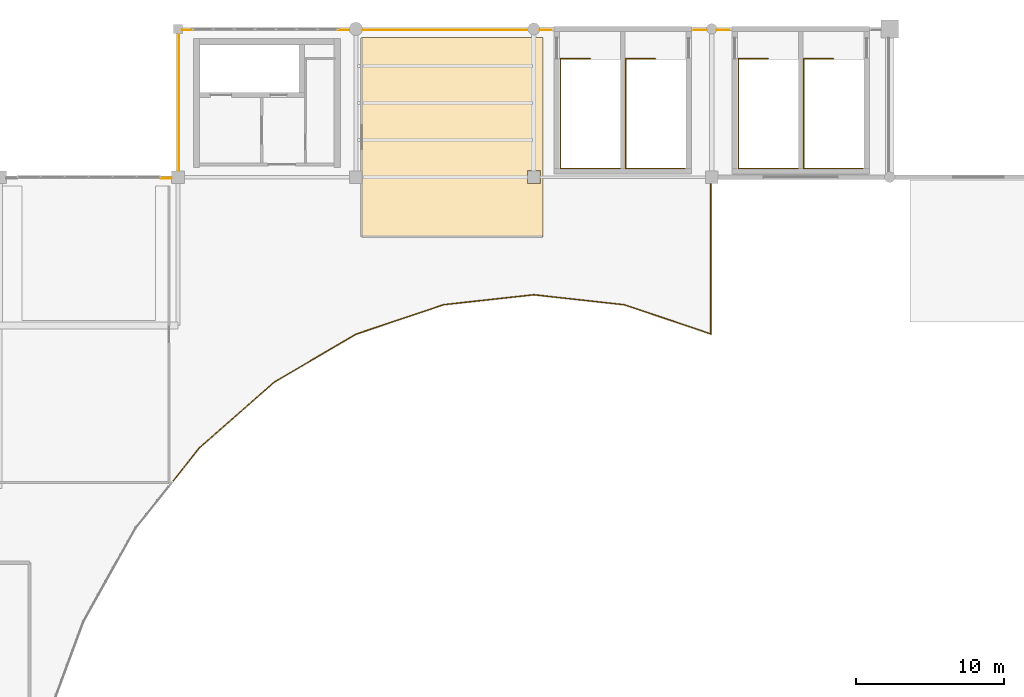
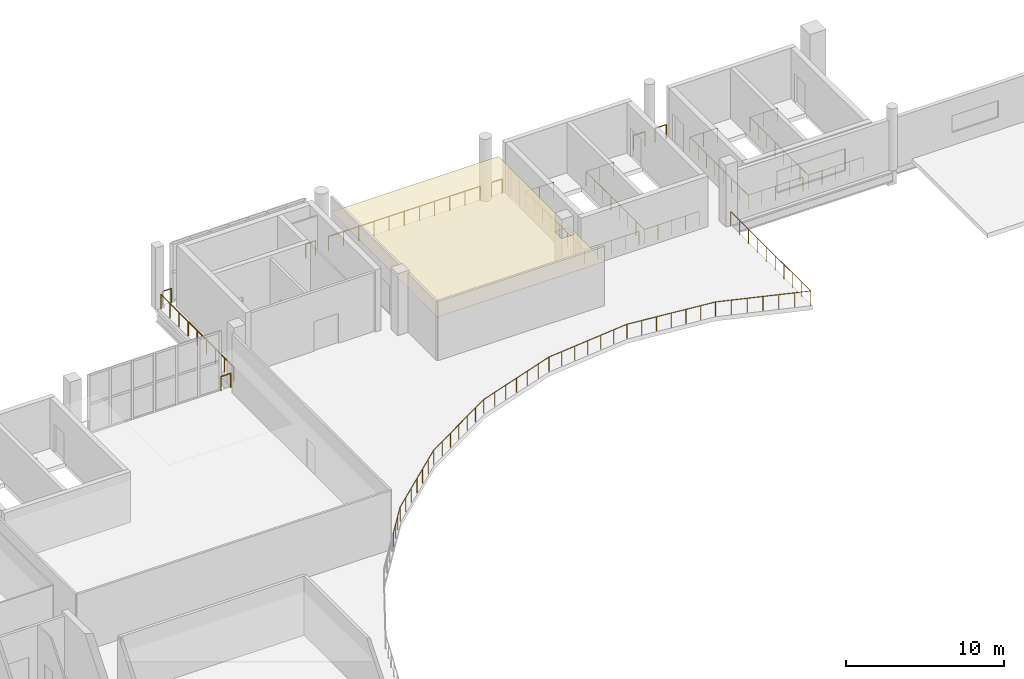
# One storey, part 48 of 49: 13 railings, 1 covering.
"""IFC4 building model written with IfcOpenShell, lengths in metres."""

from ifc_helpers import new_model, si_unit, direction, frame, origin, origin_2d, place, context, subcontext, project, spatial, polyline, circle, outline, extrude, material, layer, layer_set, type_object, element, save


model = new_model("IFC4")

# Units and contexts
model_context = context("Model", 3, precision=1e-05, world=origin(), true_north=direction((0.0, 1.0)))
body_context = subcontext(model_context, "Body", "Model", "MODEL_VIEW")
ifc_project = project(units=[si_unit("LENGTHUNIT", "METRE"), si_unit("AREAUNIT", "SQUARE_METRE"), si_unit("VOLUMEUNIT", "CUBIC_METRE"), si_unit("PLANEANGLEUNIT", "RADIAN"), si_unit("MASSUNIT", "GRAM", prefix="KILO")], contexts=[model_context])

# Site, building, storey
site_placement = place(None, origin())
site = spatial("IfcSite", under=ifc_project, at=site_placement, CompositionType="ELEMENT")
building_placement = place(site_placement, origin())
building = spatial("IfcBuilding", under=site, at=building_placement, Name="Brinegate Civic Arena", CompositionType="ELEMENT")
storey_placement = place(building_placement, frame((0.0, 0.0, 24.60009765625)))
storey = spatial("IfcBuildingStorey", under=building, at=storey_placement, Name="L05", CompositionType="ELEMENT", Elevation=24.60009765625)

# Covering
ifc_material_1 = material(Name="Acoustic perforated aluminium ceiling", Category="aluminium")
ifc_layer = layer(ifc_material_1, 0.02490234375, Name="Acoustic perforated aluminium ceiling")
ifc_layer_set = layer_set([ifc_layer], Name="Acoustic perforated aluminium ceiling")
covering_type = type_object("IfcCoveringType", Name="CEILING-ACOUSTIC-25", PredefinedType="CEILING", material=ifc_layer_set)
covering_placement = place(storey_placement, frame((0.0, 0.0, 3.324951171875)))
element("IfcCovering", 1, at=covering_placement, inside=storey, type_object=covering_type, Name="Acoustic Ceiling L05-004", PredefinedType="CEILING", context=body_context, shape_type="SweptSolid", body=[
    extrude(outline(polyline([(108.60400390625, 123.419921875), (108.60595703125, 123.4189453125), (108.60791015625, 123.41796875), (108.60888671875, 123.41796875), (108.611083984375, 123.4169921875), (108.613037109375, 123.4150390625), (108.614013671875, 123.4140625), (108.614990234375, 123.4130859375), (108.616943359375, 123.410888671875), (108.617919921875, 123.408935546875), (108.617919921875, 123.407958984375), (108.618896484375, 123.406005859375), (108.6201171875, 123.404052734375), (108.6201171875, 123.402099609375), (108.6201171875, 123.39990234375), (108.6201171875, 110.0), (108.6201171875, 109.998046875), (108.6201171875, 109.99609375), (108.618896484375, 109.993896484375), (108.617919921875, 109.991943359375), (108.617919921875, 109.990966796875), (108.616943359375, 109.989013671875), (108.614990234375, 109.987060546875), (108.614013671875, 109.986083984375), (108.613037109375, 109.985107421875), (108.611083984375, 109.98291015625), (108.60888671875, 109.98193359375), (108.60791015625, 109.98193359375), (108.60595703125, 109.98095703125), (108.60400390625, 109.97998046875), (108.60205078125, 109.97998046875), (108.60009765625, 109.97998046875), (96.39990234375, 109.97998046875), (96.39794921875, 109.97998046875), (96.39599609375, 109.97998046875), (96.39404296875, 109.98095703125), (96.39208984375, 109.98193359375), (96.39111328125, 109.98193359375), (96.388916015625, 109.98291015625), (96.386962890625, 109.985107421875), (96.385986328125, 109.986083984375), (96.385009765625, 109.987060546875), (96.383056640625, 109.989013671875), (96.382080078125, 109.990966796875), (96.382080078125, 109.991943359375), (96.381103515625, 109.993896484375), (96.3798828125, 109.99609375), (96.3798828125, 109.998046875), (96.3798828125, 110.0), (96.3798828125, 113.56494140625), (96.43505859375, 113.56494140625), (96.43505859375, 114.43505859375), (96.3798828125, 114.43505859375), (96.3798828125, 123.39990234375), (96.3798828125, 123.402099609375), (96.3798828125, 123.404052734375), (96.381103515625, 123.406005859375), (96.382080078125, 123.407958984375), (96.382080078125, 123.408935546875), (96.383056640625, 123.410888671875), (96.385009765625, 123.4130859375), (96.385986328125, 123.4140625), (96.386962890625, 123.4150390625), (96.388916015625, 123.4169921875), (96.39111328125, 123.41796875), (96.39208984375, 123.41796875), (96.39404296875, 123.4189453125), (96.39599609375, 123.419921875), (96.39794921875, 123.419921875), (96.39990234375, 123.419921875), (108.60009765625, 123.419921875), (108.60205078125, 123.419921875), (108.60400390625, 123.419921875)]), holes=[polyline([(107.56494140625, 113.56494140625), (108.43505859375, 113.56494140625), (108.43505859375, 114.43505859375), (107.56494140625, 114.43505859375), (107.56494140625, 113.56494140625)])]), origin(), (0.0, 0.0, 1.0), 0.02490234375),
])

# Railings
ifc_material_2 = material(Name="Architectural stainless steel balustrade", Category="steel")
railing_type_1 = type_object("IfcRailingType", Name="RAIL-STAIR-GUARD-1100", PredefinedType="GUARDRAIL", material=ifc_material_2)
railing_1_placement = place(storey_placement, frame((123.800048828125, 121.97998046875, 0.0)))
element("IfcRailing", 2, at=railing_1_placement, inside=storey, type_object=railing_type_1, Name="Top Stairwell Edge Guard ST-03A L05", PredefinedType="GUARDRAIL", context=body_context, shape_type="SweptSolid", body=[
    extrude(circle(Radius=0.02392578125, at=origin_2d()), frame((-0.00146484375, 0.0, 1.09619140625), z_axis=(-1.0, 0.0, 0.0), x_axis=(0.0, -1.0, 0.0)), (0.0, 0.0, 1.0), 2.002197265625),
    extrude(circle(Radius=0.02392578125, at=origin_2d()), frame((-2.005126953125, -0.00146484375, 1.09619140625), z_axis=(0.0, -1.0, 0.0), x_axis=(1.0, 0.0, 0.0)), (0.0, 0.0, 1.0), 7.39697265625),
    extrude(circle(Radius=0.02392578125, at=origin_2d()), frame((-2.003662109375, -7.39990234375, 1.09619140625), z_axis=(1.0, 0.0, 0.0), x_axis=(0.0, 1.0, 0.0)), (0.0, 0.0, 1.0), 4.007080078125),
    extrude(circle(Radius=0.02099609375, at=origin_2d()), origin(), (0.0, 0.0, 1.0), 1.070068359375),
    extrude(circle(Radius=0.02099609375, at=origin_2d()), frame((-1.00244140625, 0.0, 0.0)), (0.0, 0.0, 1.0), 1.070068359375),
    extrude(circle(Radius=0.02099609375, at=origin_2d()), frame((-2.005126953125, 0.0, 0.0)), (0.0, 0.0, 1.0), 1.070068359375),
    extrude(circle(Radius=0.02099609375, at=origin_2d()), frame((-2.005126953125, -1.05712890625, 0.0)), (0.0, 0.0, 1.0), 1.070068359375),
    extrude(circle(Radius=0.02099609375, at=origin_2d()), frame((-2.005126953125, -2.1142578125, 0.0)), (0.0, 0.0, 1.0), 1.070068359375),
    extrude(circle(Radius=0.02099609375, at=origin_2d()), frame((-2.005126953125, -3.17138671875, 0.0)), (0.0, 0.0, 1.0), 1.070068359375),
    extrude(circle(Radius=0.02099609375, at=origin_2d()), frame((-2.005126953125, -4.228515625, 0.0)), (0.0, 0.0, 1.0), 1.070068359375),
    extrude(circle(Radius=0.02099609375, at=origin_2d()), frame((-2.005126953125, -5.28564453125, 0.0)), (0.0, 0.0, 1.0), 1.070068359375),
    extrude(circle(Radius=0.02099609375, at=origin_2d()), frame((-2.005126953125, -6.3427734375, 0.0)), (0.0, 0.0, 1.0), 1.070068359375),
    extrude(circle(Radius=0.02099609375, at=origin_2d()), frame((-2.005126953125, -7.39990234375, 0.0)), (0.0, 0.0, 1.0), 1.070068359375),
    extrude(circle(Radius=0.02099609375, at=origin_2d()), frame((-1.002685546875, -7.39990234375, 0.0)), (0.0, 0.0, 1.0), 1.070068359375),
    extrude(circle(Radius=0.02099609375, at=origin_2d()), frame((0.0, -7.39990234375, 0.0)), (0.0, 0.0, 1.0), 1.070068359375),
    extrude(circle(Radius=0.02099609375, at=origin_2d()), frame((1.00244140625, -7.39990234375, 0.0)), (0.0, 0.0, 1.0), 1.070068359375),
    extrude(circle(Radius=0.02099609375, at=origin_2d()), frame((2.0048828125, -7.39990234375, 0.0)), (0.0, 0.0, 1.0), 1.070068359375),
])
railing_2_placement = place(storey_placement, frame((128.199951171875, 121.97998046875, 0.0)))
element("IfcRailing", 3, at=railing_2_placement, inside=storey, type_object=railing_type_1, Name="Top Stairwell Edge Guard ST-03B L05", PredefinedType="GUARDRAIL", context=body_context, shape_type="SweptSolid", body=[
    extrude(circle(Radius=0.02392578125, at=origin_2d()), frame((-0.00146484375, 0.0, 1.09619140625), z_axis=(-1.0, 0.0, 0.0), x_axis=(0.0, -1.0, 0.0)), (0.0, 0.0, 1.0), 2.001953125),
    extrude(circle(Radius=0.02392578125, at=origin_2d()), frame((-2.0048828125, -0.00146484375, 1.09619140625), z_axis=(0.0, -1.0, 0.0), x_axis=(1.0, 0.0, 0.0)), (0.0, 0.0, 1.0), 7.39697265625),
    extrude(circle(Radius=0.02392578125, at=origin_2d()), frame((-2.00341796875, -7.39990234375, 1.09619140625), z_axis=(1.0, 0.0, 0.0), x_axis=(0.0, 1.0, 0.0)), (0.0, 0.0, 1.0), 4.007080078125),
    extrude(circle(Radius=0.02099609375, at=origin_2d()), origin(), (0.0, 0.0, 1.0), 1.070068359375),
    extrude(circle(Radius=0.02099609375, at=origin_2d()), frame((-1.00244140625, 0.0, 0.0)), (0.0, 0.0, 1.0), 1.070068359375),
    extrude(circle(Radius=0.02099609375, at=origin_2d()), frame((-2.0048828125, 0.0, 0.0)), (0.0, 0.0, 1.0), 1.070068359375),
    extrude(circle(Radius=0.02099609375, at=origin_2d()), frame((-2.0048828125, -1.05712890625, 0.0)), (0.0, 0.0, 1.0), 1.070068359375),
    extrude(circle(Radius=0.02099609375, at=origin_2d()), frame((-2.0048828125, -2.1142578125, 0.0)), (0.0, 0.0, 1.0), 1.070068359375),
    extrude(circle(Radius=0.02099609375, at=origin_2d()), frame((-2.0048828125, -3.17138671875, 0.0)), (0.0, 0.0, 1.0), 1.070068359375),
    extrude(circle(Radius=0.02099609375, at=origin_2d()), frame((-2.0048828125, -4.228515625, 0.0)), (0.0, 0.0, 1.0), 1.070068359375),
    extrude(circle(Radius=0.02099609375, at=origin_2d()), frame((-2.0048828125, -5.28564453125, 0.0)), (0.0, 0.0, 1.0), 1.070068359375),
    extrude(circle(Radius=0.02099609375, at=origin_2d()), frame((-2.0048828125, -6.3427734375, 0.0)), (0.0, 0.0, 1.0), 1.070068359375),
    extrude(circle(Radius=0.02099609375, at=origin_2d()), frame((-2.0048828125, -7.39990234375, 0.0)), (0.0, 0.0, 1.0), 1.070068359375),
    extrude(circle(Radius=0.02099609375, at=origin_2d()), frame((-1.00244140625, -7.39990234375, 0.0)), (0.0, 0.0, 1.0), 1.070068359375),
    extrude(circle(Radius=0.02099609375, at=origin_2d()), frame((0.0, -7.39990234375, 0.0)), (0.0, 0.0, 1.0), 1.070068359375),
    extrude(circle(Radius=0.02099609375, at=origin_2d()), frame((1.002685546875, -7.39990234375, 0.0)), (0.0, 0.0, 1.0), 1.070068359375),
    extrude(circle(Radius=0.02099609375, at=origin_2d()), frame((2.005126953125, -7.39990234375, 0.0)), (0.0, 0.0, 1.0), 1.070068359375),
])
railing_3_placement = place(storey_placement, frame((111.800048828125, 121.97998046875, 0.0)))
element("IfcRailing", 4, at=railing_3_placement, inside=storey, type_object=railing_type_1, Name="Top Stairwell Edge Guard ST-15A L05", PredefinedType="GUARDRAIL", context=body_context, shape_type="SweptSolid", body=[
    extrude(circle(Radius=0.02392578125, at=origin_2d()), frame((-0.00146484375, 0.0, 1.09619140625), z_axis=(-1.0, 0.0, 0.0), x_axis=(0.0, -1.0, 0.0)), (0.0, 0.0, 1.0), 2.002197265625),
    extrude(circle(Radius=0.02392578125, at=origin_2d()), frame((-2.005126953125, -0.00146484375, 1.09619140625), z_axis=(0.0, -1.0, 0.0), x_axis=(1.0, 0.0, 0.0)), (0.0, 0.0, 1.0), 7.39697265625),
    extrude(circle(Radius=0.02392578125, at=origin_2d()), frame((-2.003662109375, -7.39990234375, 1.09619140625), z_axis=(1.0, 0.0, 0.0), x_axis=(0.0, 1.0, 0.0)), (0.0, 0.0, 1.0), 4.007080078125),
    extrude(circle(Radius=0.02099609375, at=origin_2d()), origin(), (0.0, 0.0, 1.0), 1.070068359375),
    extrude(circle(Radius=0.02099609375, at=origin_2d()), frame((-1.00244140625, 0.0, 0.0)), (0.0, 0.0, 1.0), 1.070068359375),
    extrude(circle(Radius=0.02099609375, at=origin_2d()), frame((-2.005126953125, 0.0, 0.0)), (0.0, 0.0, 1.0), 1.070068359375),
    extrude(circle(Radius=0.02099609375, at=origin_2d()), frame((-2.005126953125, -1.05712890625, 0.0)), (0.0, 0.0, 1.0), 1.070068359375),
    extrude(circle(Radius=0.02099609375, at=origin_2d()), frame((-2.005126953125, -2.1142578125, 0.0)), (0.0, 0.0, 1.0), 1.070068359375),
    extrude(circle(Radius=0.02099609375, at=origin_2d()), frame((-2.005126953125, -3.17138671875, 0.0)), (0.0, 0.0, 1.0), 1.070068359375),
    extrude(circle(Radius=0.02099609375, at=origin_2d()), frame((-2.005126953125, -4.228515625, 0.0)), (0.0, 0.0, 1.0), 1.070068359375),
    extrude(circle(Radius=0.02099609375, at=origin_2d()), frame((-2.005126953125, -5.28564453125, 0.0)), (0.0, 0.0, 1.0), 1.070068359375),
    extrude(circle(Radius=0.02099609375, at=origin_2d()), frame((-2.005126953125, -6.3427734375, 0.0)), (0.0, 0.0, 1.0), 1.070068359375),
    extrude(circle(Radius=0.02099609375, at=origin_2d()), frame((-2.005126953125, -7.39990234375, 0.0)), (0.0, 0.0, 1.0), 1.070068359375),
    extrude(circle(Radius=0.02099609375, at=origin_2d()), frame((-1.002685546875, -7.39990234375, 0.0)), (0.0, 0.0, 1.0), 1.070068359375),
    extrude(circle(Radius=0.02099609375, at=origin_2d()), frame((0.0, -7.39990234375, 0.0)), (0.0, 0.0, 1.0), 1.070068359375),
    extrude(circle(Radius=0.02099609375, at=origin_2d()), frame((1.00244140625, -7.39990234375, 0.0)), (0.0, 0.0, 1.0), 1.070068359375),
    extrude(circle(Radius=0.02099609375, at=origin_2d()), frame((2.0048828125, -7.39990234375, 0.0)), (0.0, 0.0, 1.0), 1.070068359375),
])
railing_4_placement = place(storey_placement, frame((116.199951171875, 121.97998046875, 0.0)))
element("IfcRailing", 5, at=railing_4_placement, inside=storey, type_object=railing_type_1, Name="Top Stairwell Edge Guard ST-15B L05", PredefinedType="GUARDRAIL", context=body_context, shape_type="SweptSolid", body=[
    extrude(circle(Radius=0.02392578125, at=origin_2d()), frame((-0.00146484375, 0.0, 1.09619140625), z_axis=(-1.0, 0.0, 0.0), x_axis=(0.0, -1.0, 0.0)), (0.0, 0.0, 1.0), 2.001953125),
    extrude(circle(Radius=0.02392578125, at=origin_2d()), frame((-2.0048828125, -0.00146484375, 1.09619140625), z_axis=(0.0, -1.0, 0.0), x_axis=(1.0, 0.0, 0.0)), (0.0, 0.0, 1.0), 7.39697265625),
    extrude(circle(Radius=0.02392578125, at=origin_2d()), frame((-2.00341796875, -7.39990234375, 1.09619140625), z_axis=(1.0, 0.0, 0.0), x_axis=(0.0, 1.0, 0.0)), (0.0, 0.0, 1.0), 4.007080078125),
    extrude(circle(Radius=0.02099609375, at=origin_2d()), origin(), (0.0, 0.0, 1.0), 1.070068359375),
    extrude(circle(Radius=0.02099609375, at=origin_2d()), frame((-1.00244140625, 0.0, 0.0)), (0.0, 0.0, 1.0), 1.070068359375),
    extrude(circle(Radius=0.02099609375, at=origin_2d()), frame((-2.0048828125, 0.0, 0.0)), (0.0, 0.0, 1.0), 1.070068359375),
    extrude(circle(Radius=0.02099609375, at=origin_2d()), frame((-2.0048828125, -1.05712890625, 0.0)), (0.0, 0.0, 1.0), 1.070068359375),
    extrude(circle(Radius=0.02099609375, at=origin_2d()), frame((-2.0048828125, -2.1142578125, 0.0)), (0.0, 0.0, 1.0), 1.070068359375),
    extrude(circle(Radius=0.02099609375, at=origin_2d()), frame((-2.0048828125, -3.17138671875, 0.0)), (0.0, 0.0, 1.0), 1.070068359375),
    extrude(circle(Radius=0.02099609375, at=origin_2d()), frame((-2.0048828125, -4.228515625, 0.0)), (0.0, 0.0, 1.0), 1.070068359375),
    extrude(circle(Radius=0.02099609375, at=origin_2d()), frame((-2.0048828125, -5.28564453125, 0.0)), (0.0, 0.0, 1.0), 1.070068359375),
    extrude(circle(Radius=0.02099609375, at=origin_2d()), frame((-2.0048828125, -6.3427734375, 0.0)), (0.0, 0.0, 1.0), 1.070068359375),
    extrude(circle(Radius=0.02099609375, at=origin_2d()), frame((-2.0048828125, -7.39990234375, 0.0)), (0.0, 0.0, 1.0), 1.070068359375),
    extrude(circle(Radius=0.02099609375, at=origin_2d()), frame((-1.00244140625, -7.39990234375, 0.0)), (0.0, 0.0, 1.0), 1.070068359375),
    extrude(circle(Radius=0.02099609375, at=origin_2d()), frame((0.0, -7.39990234375, 0.0)), (0.0, 0.0, 1.0), 1.070068359375),
    extrude(circle(Radius=0.02099609375, at=origin_2d()), frame((1.002685546875, -7.39990234375, 0.0)), (0.0, 0.0, 1.0), 1.070068359375),
    extrude(circle(Radius=0.02099609375, at=origin_2d()), frame((2.005126953125, -7.39990234375, 0.0)), (0.0, 0.0, 1.0), 1.070068359375),
])
railing_type_2 = type_object("IfcRailingType", Name="RAIL-VOID-BALUSTRADE-1120", PredefinedType="BALUSTRADE", material=ifc_material_2)
railing_5_placement = place(storey_placement, frame((82.84912109375, 113.929931640625, 0.0)))
element("IfcRailing", 6, at=railing_5_placement, inside=storey, type_object=railing_type_2, Name="Deck Edge Balustrade L05-418", PredefinedType="BALUSTRADE", context=body_context, shape_type="SweptSolid", body=[
    extrude(circle(Radius=0.02392578125, at=origin_2d()), frame((0.00146484375, 0.0, 1.09619140625), z_axis=(1.0, 0.0, 0.0), x_axis=(0.0, 1.0, 0.0)), (0.0, 0.0, 1.0), 0.702880859375),
    extrude(circle(Radius=0.02099609375, at=origin_2d()), origin(), (0.0, 0.0, 1.0), 1.070068359375),
    extrude(circle(Radius=0.02099609375, at=origin_2d()), frame((0.705810546875, 0.0, 0.0)), (0.0, 0.0, 1.0), 1.070068359375),
])
railing_6_placement = place(storey_placement, frame((84.070068359375, 114.445068359375, 0.0)))
element("IfcRailing", 7, at=railing_6_placement, inside=storey, type_object=railing_type_2, Name="Deck Edge Balustrade L05-419", PredefinedType="BALUSTRADE", context=body_context, shape_type="SweptSolid", body=[
    extrude(circle(Radius=0.02392578125, at=origin_2d()), frame((0.0, 0.00146484375, 1.09619140625), z_axis=(0.0, 1.0, 0.0), x_axis=(-1.0, 0.0, 0.0)), (0.0, 0.0, 1.0), 9.23193359375),
    extrude(circle(Radius=0.02099609375, at=origin_2d()), origin(), (0.0, 0.0, 1.0), 1.070068359375),
    extrude(circle(Radius=0.02099609375, at=origin_2d()), frame((0.0, 1.154296875, 0.0)), (0.0, 0.0, 1.0), 1.070068359375),
    extrude(circle(Radius=0.02099609375, at=origin_2d()), frame((0.0, 2.30859375, 0.0)), (0.0, 0.0, 1.0), 1.070068359375),
    extrude(circle(Radius=0.02099609375, at=origin_2d()), frame((0.0, 3.463134765625, 0.0)), (0.0, 0.0, 1.0), 1.070068359375),
    extrude(circle(Radius=0.02099609375, at=origin_2d()), frame((0.0, 4.617431640625, 0.0)), (0.0, 0.0, 1.0), 1.070068359375),
    extrude(circle(Radius=0.02099609375, at=origin_2d()), frame((0.0, 5.771728515625, 0.0)), (0.0, 0.0, 1.0), 1.070068359375),
    extrude(circle(Radius=0.02099609375, at=origin_2d()), frame((0.0, 6.92626953125, 0.0)), (0.0, 0.0, 1.0), 1.070068359375),
    extrude(circle(Radius=0.02099609375, at=origin_2d()), frame((0.0, 8.08056640625, 0.0)), (0.0, 0.0, 1.0), 1.070068359375),
    extrude(circle(Radius=0.02099609375, at=origin_2d()), frame((0.0, 9.23486328125, 0.0)), (0.0, 0.0, 1.0), 1.070068359375),
])
railing_7_placement = place(storey_placement, frame((84.320068359375, 123.929931640625, 0.0)))
element("IfcRailing", 8, at=railing_7_placement, inside=storey, type_object=railing_type_2, Name="Deck Edge Balustrade L05-420", PredefinedType="BALUSTRADE", context=body_context, shape_type="SweptSolid", body=[
    extrude(circle(Radius=0.02392578125, at=origin_2d()), frame((0.00146484375, 0.0, 1.09619140625), z_axis=(1.0, 0.0, 0.0), x_axis=(0.0, 1.0, 0.0)), (0.0, 0.0, 1.0), 0.651123046875),
    extrude(circle(Radius=0.02099609375, at=origin_2d()), origin(), (0.0, 0.0, 1.0), 1.070068359375),
    extrude(circle(Radius=0.02099609375, at=origin_2d()), frame((0.654052734375, 0.0, 0.0)), (0.0, 0.0, 1.0), 1.070068359375),
])
railing_8_placement = place(storey_placement, frame((94.81396484375, 123.929931640625, 0.0)))
element("IfcRailing", 9, at=railing_8_placement, inside=storey, type_object=railing_type_2, Name="Deck Edge Balustrade L05-421", PredefinedType="BALUSTRADE", context=body_context, shape_type="SweptSolid", body=[
    extrude(circle(Radius=0.02392578125, at=origin_2d()), frame((0.00146484375, 0.0, 1.09619140625), z_axis=(1.0, 0.0, 0.0), x_axis=(0.0, 1.0, 0.0)), (0.0, 0.0, 1.0), 0.713134765625),
    extrude(circle(Radius=0.02099609375, at=origin_2d()), origin(), (0.0, 0.0, 1.0), 1.070068359375),
    extrude(circle(Radius=0.02099609375, at=origin_2d()), frame((0.716064453125, 0.0, 0.0)), (0.0, 0.0, 1.0), 1.070068359375),
])
railing_9_placement = place(storey_placement, frame((96.469970703125, 123.929931640625, 0.0)))
element("IfcRailing", 10, at=railing_9_placement, inside=storey, type_object=railing_type_2, Name="Deck Edge Balustrade L05-422", PredefinedType="BALUSTRADE", context=body_context, shape_type="SweptSolid", body=[
    extrude(circle(Radius=0.02392578125, at=origin_2d()), frame((0.00146484375, 0.0, 1.09619140625), z_axis=(1.0, 0.0, 0.0), x_axis=(0.0, 1.0, 0.0)), (0.0, 0.0, 1.0), 11.107177734375),
    extrude(circle(Radius=0.02099609375, at=origin_2d()), origin(), (0.0, 0.0, 1.0), 1.070068359375),
    extrude(circle(Radius=0.02099609375, at=origin_2d()), frame((1.111083984375, 0.0, 0.0)), (0.0, 0.0, 1.0), 1.070068359375),
    extrude(circle(Radius=0.02099609375, at=origin_2d()), frame((2.221923828125, 0.0, 0.0)), (0.0, 0.0, 1.0), 1.070068359375),
    extrude(circle(Radius=0.02099609375, at=origin_2d()), frame((3.3330078125, 0.0, 0.0)), (0.0, 0.0, 1.0), 1.070068359375),
    extrude(circle(Radius=0.02099609375, at=origin_2d()), frame((4.444091796875, 0.0, 0.0)), (0.0, 0.0, 1.0), 1.070068359375),
    extrude(circle(Radius=0.02099609375, at=origin_2d()), frame((5.55517578125, 0.0, 0.0)), (0.0, 0.0, 1.0), 1.070068359375),
    extrude(circle(Radius=0.02099609375, at=origin_2d()), frame((6.666015625, 0.0, 0.0)), (0.0, 0.0, 1.0), 1.070068359375),
    extrude(circle(Radius=0.02099609375, at=origin_2d()), frame((7.777099609375, 0.0, 0.0)), (0.0, 0.0, 1.0), 1.070068359375),
    extrude(circle(Radius=0.02099609375, at=origin_2d()), frame((8.88818359375, 0.0, 0.0)), (0.0, 0.0, 1.0), 1.070068359375),
    extrude(circle(Radius=0.02099609375, at=origin_2d()), frame((9.9990234375, 0.0, 0.0)), (0.0, 0.0, 1.0), 1.070068359375),
    extrude(circle(Radius=0.02099609375, at=origin_2d()), frame((11.110107421875, 0.0, 0.0)), (0.0, 0.0, 1.0), 1.070068359375),
])
railing_10_placement = place(storey_placement, frame((108.419921875, 123.929931640625, 0.0)))
element("IfcRailing", 11, at=railing_10_placement, inside=storey, type_object=railing_type_2, Name="Deck Edge Balustrade L05-423", PredefinedType="BALUSTRADE", context=body_context, shape_type="SweptSolid", body=[
    extrude(circle(Radius=0.02392578125, at=origin_2d()), frame((0.00146484375, 0.0, 1.09619140625), z_axis=(1.0, 0.0, 0.0), x_axis=(0.0, 1.0, 0.0)), (0.0, 0.0, 1.0), 0.777099609375),
    extrude(circle(Radius=0.02099609375, at=origin_2d()), origin(), (0.0, 0.0, 1.0), 1.070068359375),
    extrude(circle(Radius=0.02099609375, at=origin_2d()), frame((0.780029296875, 0.0, 0.0)), (0.0, 0.0, 1.0), 1.070068359375),
])
for number, where, name in (
    (12, (118.800048828125, 123.929931640625, 0.0), "Deck Edge Balustrade L05-424"),
    (13, (120.3701171875, 123.929931640625, 0.0), "Deck Edge Balustrade L05-425"),
):
    element("IfcRailing", number, at=place(storey_placement, frame(where)), inside=storey, type_object=railing_type_2, Name=name, PredefinedType="BALUSTRADE", context=body_context, shape_type="SweptSolid", body=[
        extrude(circle(Radius=0.02392578125, at=origin_2d()), frame((0.00146484375, 0.0, 1.09619140625), z_axis=(1.0, 0.0, 0.0), x_axis=(0.0, 1.0, 0.0)), (0.0, 0.0, 1.0), 0.826904296875),
        extrude(circle(Radius=0.02099609375, at=origin_2d()), origin(), (0.0, 0.0, 1.0), 1.070068359375),
        extrude(circle(Radius=0.02099609375, at=origin_2d()), frame((0.829833984375, 0.0, 0.0)), (0.0, 0.0, 1.0), 1.070068359375),
    ])
railing_11_placement = place(storey_placement, frame((119.929931640625, 113.554931640625, 0.0)))
element("IfcRailing", 14, at=railing_11_placement, inside=storey, type_object=railing_type_2, Name="Deck Edge Balustrade L05-428", PredefinedType="BALUSTRADE", context=body_context, shape_type="SweptSolid", body=[
    extrude(circle(Radius=0.02392578125, at=origin_2d()), frame((0.0, -0.00146484375, 1.09619140625), z_axis=(0.0, -1.0, 0.0), x_axis=(1.0, 0.0, 0.0)), (0.0, 0.0, 1.0), 10.117919921875),
    extrude(circle(Radius=0.02392578125, at=origin_2d()), frame((-0.00146484375, -10.120361328125, 1.09619140625), z_axis=(-0.947674446948, 0.319238378963, 0.0), x_axis=(-0.319238378963, -0.947674446948, 0.0)), (0.0, 0.0, 1.0), 6.148681640625),
    extrude(circle(Radius=0.02392578125, at=origin_2d()), frame((-5.831298828125, -8.15673828125, 1.09619140625), z_axis=(-0.993968933413, 0.109662023552, 0.0), x_axis=(-0.109662023552, -0.993968933413, 0.0)), (0.0, 0.0, 1.0), 6.1259765625),
    extrude(circle(Radius=0.02392578125, at=origin_2d()), frame((-11.92333984375, -7.48486328125, 1.09619140625), z_axis=(-1.0, 0.0, 0.0), x_axis=(0.0, -1.0, 0.0)), (0.0, 0.0, 1.0), 0.01318359375),
    extrude(circle(Radius=0.02392578125, at=origin_2d()), frame((-11.939453125, -7.485107421875, 1.09619140625), z_axis=(-0.994014983265, -0.109243823829, 0.0), x_axis=(0.109243823829, -0.994014983265, 0.0)), (0.0, 0.0, 1.0), 6.111572265625),
    extrude(circle(Radius=0.02392578125, at=origin_2d()), frame((-18.017333984375, -8.1533203125, 1.09619140625), z_axis=(-0.947667921736, -0.319257748711, 0.0), x_axis=(0.319257748711, -0.947667921736, 0.0)), (0.0, 0.0, 1.0), 6.230224609375),
    extrude(circle(Radius=0.02392578125, at=origin_2d()), frame((-23.924072265625, -10.1435546875, 1.09619140625), z_axis=(-0.862812312463, -0.505524394527, 0.0), x_axis=(0.505524394527, -0.862812312463, 0.0)), (0.0, 0.0, 1.0), 6.420166015625),
    extrude(circle(Radius=0.02392578125, at=origin_2d()), frame((-29.466064453125, -13.390869140625, 1.09619140625), z_axis=(-0.750857972456, -0.66046370468, 0.0), x_axis=(0.66046370468, -0.750857972456, 0.0)), (0.0, 0.0, 1.0), 6.66796875),
    extrude(circle(Radius=0.02392578125, at=origin_2d()), frame((-34.474853515625, -17.797119140625, 1.09619140625), z_axis=(-0.622845278443, -0.782345038408, 0.0), x_axis=(0.782345038408, -0.622845278443, 0.0)), (0.0, 0.0, 1.0), 2.8486328125),
    extrude(circle(Radius=0.02099609375, at=origin_2d()), origin(), (0.0, 0.0, 1.0), 1.070068359375),
    extrude(circle(Radius=0.02099609375, at=origin_2d()), frame((0.0, -1.12451171875, 0.0)), (0.0, 0.0, 1.0), 1.070068359375),
    extrude(circle(Radius=0.02099609375, at=origin_2d()), frame((0.0, -2.2490234375, 0.0)), (0.0, 0.0, 1.0), 1.070068359375),
    extrude(circle(Radius=0.02099609375, at=origin_2d()), frame((0.0, -3.37353515625, 0.0)), (0.0, 0.0, 1.0), 1.070068359375),
    extrude(circle(Radius=0.02099609375, at=origin_2d()), frame((0.0, -4.498046875, 0.0)), (0.0, 0.0, 1.0), 1.070068359375),
    extrude(circle(Radius=0.02099609375, at=origin_2d()), frame((0.0, -5.622802734375, 0.0)), (0.0, 0.0, 1.0), 1.070068359375),
    extrude(circle(Radius=0.02099609375, at=origin_2d()), frame((0.0, -6.747314453125, 0.0)), (0.0, 0.0, 1.0), 1.070068359375),
    extrude(circle(Radius=0.02099609375, at=origin_2d()), frame((0.0, -7.871826171875, 0.0)), (0.0, 0.0, 1.0), 1.070068359375),
    extrude(circle(Radius=0.02099609375, at=origin_2d()), frame((0.0, -8.996337890625, 0.0)), (0.0, 0.0, 1.0), 1.070068359375),
    extrude(circle(Radius=0.02099609375, at=origin_2d()), frame((0.0, -10.120849609375, 0.0)), (0.0, 0.0, 1.0), 1.070068359375),
    extrude(circle(Radius=0.02099609375, at=origin_2d()), frame((-0.9716796875, -9.79345703125, 0.0)), (0.0, 0.0, 1.0), 1.070068359375),
    extrude(circle(Radius=0.02099609375, at=origin_2d()), frame((-1.943359375, -9.46630859375, 0.0)), (0.0, 0.0, 1.0), 1.070068359375),
    extrude(circle(Radius=0.02099609375, at=origin_2d()), frame((-2.9150390625, -9.138916015625, 0.0)), (0.0, 0.0, 1.0), 1.070068359375),
    extrude(circle(Radius=0.02099609375, at=origin_2d()), frame((-3.886474609375, -8.8115234375, 0.0)), (0.0, 0.0, 1.0), 1.070068359375),
    extrude(circle(Radius=0.02099609375, at=origin_2d()), frame((-4.858154296875, -8.484375, 0.0)), (0.0, 0.0, 1.0), 1.070068359375),
    extrude(circle(Radius=0.02099609375, at=origin_2d()), frame((-5.829833984375, -8.156982421875, 0.0)), (0.0, 0.0, 1.0), 1.070068359375),
    extrude(circle(Radius=0.02099609375, at=origin_2d()), frame((-6.84521484375, -8.044921875, 0.0)), (0.0, 0.0, 1.0), 1.070068359375),
    extrude(circle(Radius=0.02099609375, at=origin_2d()), frame((-7.860595703125, -7.932861328125, 0.0)), (0.0, 0.0, 1.0), 1.070068359375),
    extrude(circle(Radius=0.02099609375, at=origin_2d()), frame((-8.8759765625, -7.82080078125, 0.0)), (0.0, 0.0, 1.0), 1.070068359375),
    extrude(circle(Radius=0.02099609375, at=origin_2d()), frame((-9.89111328125, -7.708984375, 0.0)), (0.0, 0.0, 1.0), 1.070068359375),
    extrude(circle(Radius=0.02099609375, at=origin_2d()), frame((-10.906494140625, -7.596923828125, 0.0)), (0.0, 0.0, 1.0), 1.070068359375),
    extrude(circle(Radius=0.02099609375, at=origin_2d()), frame((-11.921875, -7.48486328125, 0.0)), (0.0, 0.0, 1.0), 1.070068359375),
    extrude(circle(Radius=0.02099609375, at=origin_2d()), frame((-12.950927734375, -7.59619140625, 0.0)), (0.0, 0.0, 1.0), 1.070068359375),
    extrude(circle(Radius=0.02099609375, at=origin_2d()), frame((-13.9638671875, -7.70751953125, 0.0)), (0.0, 0.0, 1.0), 1.070068359375),
    extrude(circle(Radius=0.02099609375, at=origin_2d()), frame((-14.97705078125, -7.81884765625, 0.0)), (0.0, 0.0, 1.0), 1.070068359375),
    extrude(circle(Radius=0.02099609375, at=origin_2d()), frame((-15.989990234375, -7.93017578125, 0.0)), (0.0, 0.0, 1.0), 1.070068359375),
    extrude(circle(Radius=0.02099609375, at=origin_2d()), frame((-17.0029296875, -8.04150390625, 0.0)), (0.0, 0.0, 1.0), 1.070068359375),
    extrude(circle(Radius=0.02099609375, at=origin_2d()), frame((-18.015869140625, -8.15283203125, 0.0)), (0.0, 0.0, 1.0), 1.070068359375),
    extrude(circle(Radius=0.02099609375, at=origin_2d()), frame((-19.00048828125, -8.484375, 0.0)), (0.0, 0.0, 1.0), 1.070068359375),
    extrude(circle(Radius=0.02099609375, at=origin_2d()), frame((-19.98486328125, -8.816162109375, 0.0)), (0.0, 0.0, 1.0), 1.070068359375),
    extrude(circle(Radius=0.02099609375, at=origin_2d()), frame((-20.96923828125, -9.14794921875, 0.0)), (0.0, 0.0, 1.0), 1.070068359375),
    extrude(circle(Radius=0.02099609375, at=origin_2d()), frame((-21.953857421875, -9.4794921875, 0.0)), (0.0, 0.0, 1.0), 1.070068359375),
    extrude(circle(Radius=0.02099609375, at=origin_2d()), frame((-22.9384765625, -9.81103515625, 0.0)), (0.0, 0.0, 1.0), 1.070068359375),
    extrude(circle(Radius=0.02099609375, at=origin_2d()), frame((-23.9228515625, -10.142822265625, 0.0)), (0.0, 0.0, 1.0), 1.070068359375),
    extrude(circle(Radius=0.02099609375, at=origin_2d()), frame((-24.846435546875, -10.68408203125, 0.0)), (0.0, 0.0, 1.0), 1.070068359375),
    extrude(circle(Radius=0.02099609375, at=origin_2d()), frame((-25.770263671875, -11.22509765625, 0.0)), (0.0, 0.0, 1.0), 1.070068359375),
    extrude(circle(Radius=0.02099609375, at=origin_2d()), frame((-26.69384765625, -11.766357421875, 0.0)), (0.0, 0.0, 1.0), 1.070068359375),
    extrude(circle(Radius=0.02099609375, at=origin_2d()), frame((-27.617431640625, -12.3076171875, 0.0)), (0.0, 0.0, 1.0), 1.070068359375),
    extrude(circle(Radius=0.02099609375, at=origin_2d()), frame((-28.541259765625, -12.8486328125, 0.0)), (0.0, 0.0, 1.0), 1.070068359375),
    extrude(circle(Radius=0.02099609375, at=origin_2d()), frame((-29.46484375, -13.389892578125, 0.0)), (0.0, 0.0, 1.0), 1.070068359375),
    extrude(circle(Radius=0.02099609375, at=origin_2d()), frame((-30.2998046875, -14.124267578125, 0.0)), (0.0, 0.0, 1.0), 1.070068359375),
    extrude(circle(Radius=0.02099609375, at=origin_2d()), frame((-31.134521484375, -14.858642578125, 0.0)), (0.0, 0.0, 1.0), 1.070068359375),
    extrude(circle(Radius=0.02099609375, at=origin_2d()), frame((-31.96923828125, -15.5927734375, 0.0)), (0.0, 0.0, 1.0), 1.070068359375),
    extrude(circle(Radius=0.02099609375, at=origin_2d()), frame((-32.80419921875, -16.3271484375, 0.0)), (0.0, 0.0, 1.0), 1.070068359375),
    extrude(circle(Radius=0.02099609375, at=origin_2d()), frame((-33.63916015625, -17.0615234375, 0.0)), (0.0, 0.0, 1.0), 1.070068359375),
    extrude(circle(Radius=0.02099609375, at=origin_2d()), frame((-34.473876953125, -17.7958984375, 0.0)), (0.0, 0.0, 1.0), 1.070068359375),
    extrude(circle(Radius=0.02099609375, at=origin_2d()), frame((-35.06591796875, -18.53955078125, 0.0)), (0.0, 0.0, 1.0), 1.070068359375),
    extrude(circle(Radius=0.02099609375, at=origin_2d()), frame((-35.657958984375, -19.283203125, 0.0)), (0.0, 0.0, 1.0), 1.070068359375),
    extrude(circle(Radius=0.02099609375, at=origin_2d()), frame((-36.25, -20.02685546875, 0.0)), (0.0, 0.0, 1.0), 1.070068359375),
])

save(model, "model.ifc")
